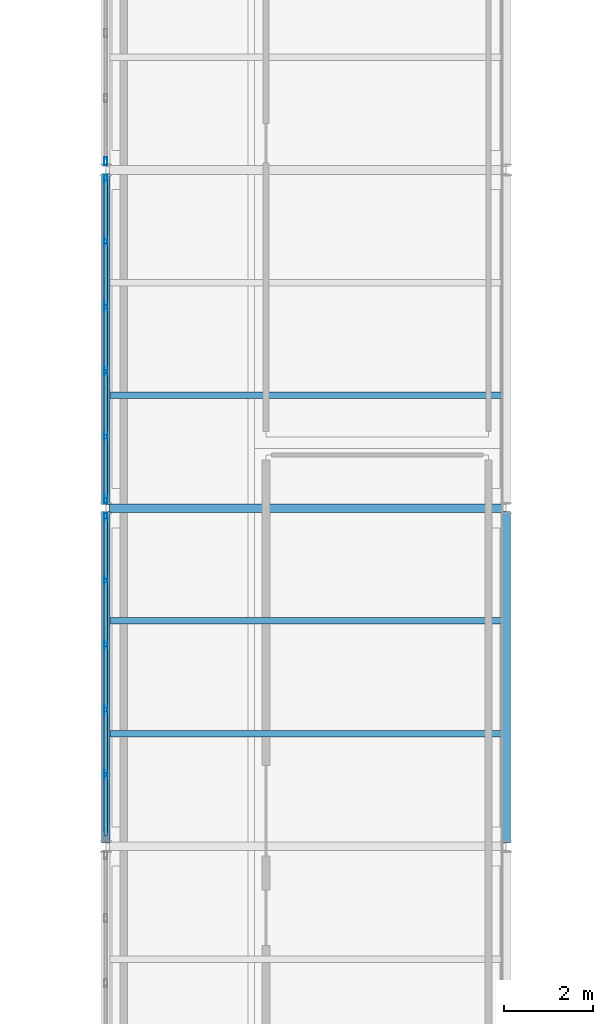
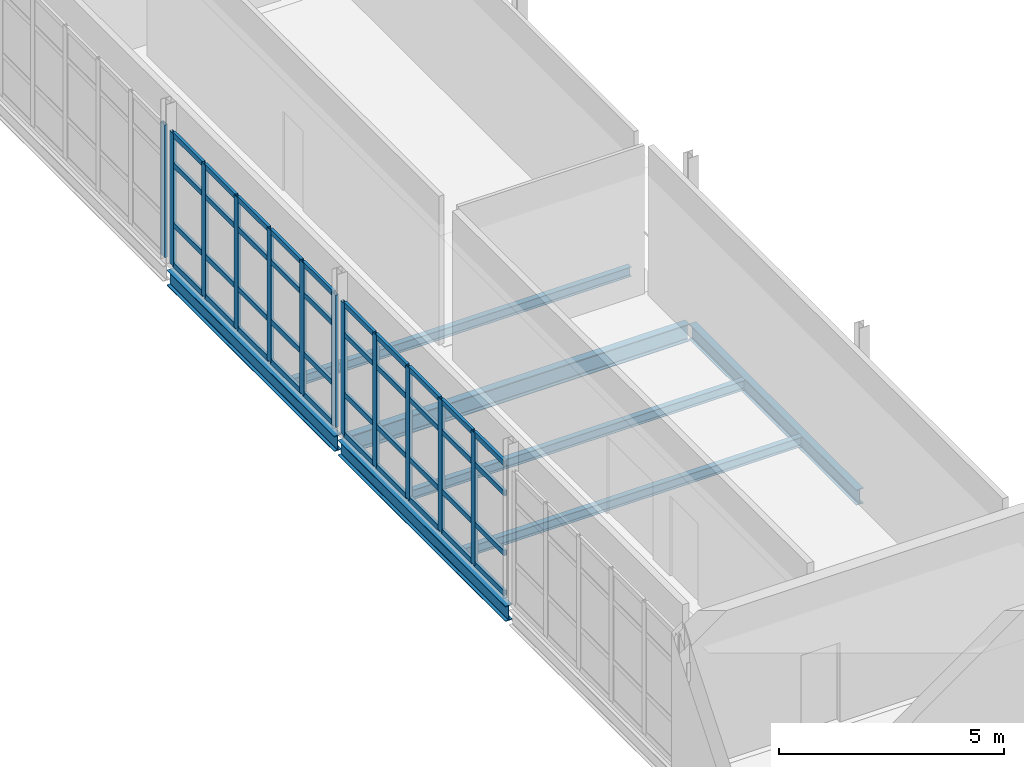
# One storey, part 107 of 166: 52 members, 7 beams, 3 elements without a shape of their own.
"""IFC4 building model written with IfcOpenShell, lengths in metres."""

from ifc_helpers import new_model, si_unit, direction, frame, origin, origin_2d, place, context, subcontext, project, spatial, hollow_rectangle, i_section, extrude, material, material_profile, profile_set, type_object, element, aggregate, save


model = new_model("IFC4")

# Units and contexts
model_context = context("Model", 3, precision=1e-05, world=origin(), true_north=direction((0.0, 1.0)))
body_context = subcontext(model_context, "Body", "Model", "MODEL_VIEW")
ifc_project = project(units=[si_unit("LENGTHUNIT", "METRE"), si_unit("AREAUNIT", "SQUARE_METRE"), si_unit("VOLUMEUNIT", "CUBIC_METRE"), si_unit("PLANEANGLEUNIT", "RADIAN"), si_unit("MASSUNIT", "GRAM", prefix="KILO")], contexts=[model_context])

# Site, building, storey
site_placement = place(None, origin())
site = spatial("IfcSite", under=ifc_project, at=site_placement, CompositionType="ELEMENT")
building_placement = place(site_placement, origin())
building = spatial("IfcBuilding", under=site, at=building_placement, Name="Caisbarro Railhouse Central Library", CompositionType="ELEMENT")
storey_placement = place(building_placement, frame((0.0, 0.0, 9.360107421875)))
storey = spatial("IfcBuildingStorey", under=building, at=storey_placement, Name="L02", CompositionType="ELEMENT", Elevation=9.360107421875)

# Beams
ifc_material_1 = material(Name="Steel ASTM A572 Grade 50", Category="steel")
ifc_material_profile_1 = material_profile(ifc_material_1, i_section(OverallWidth=0.194091796875, OverallDepth=0.468994140625, WebThickness=0.0126953125, FlangeThickness=0.0205078125, FilletRadius=0.01806640625, at=origin_2d()), Name="W460X106.0")
ifc_profile_set_1 = profile_set([ifc_material_profile_1], Name="Steel ASTM A572 Grade 50")
beam_type_1 = type_object("IfcBeamType", Name="BM-G07", PredefinedType="BEAM", material=ifc_profile_set_1)
beam_1_placement = place(storey_placement, frame((144.080078125, 22.800048828125, -0.4345703125), z_axis=(1.0, 0.0, 0.0), x_axis=(0.0, 1.0, 0.0)))
element("IfcBeam", 1, at=beam_1_placement, inside=storey, type_object=beam_type_1, Name="G07 beam L02 #1631", PredefinedType="BEAM", context=body_context, shape_type="SweptSolid", body=[
    extrude(i_section(OverallWidth=0.194091796875, OverallDepth=0.468994140625, WebThickness=0.0126953125, FlangeThickness=0.0205078125, FilletRadius=0.01806640625, at=origin_2d()), origin(), (0.0, 0.0, 1.0), 8.83984375),
])
ifc_material_profile_2 = material_profile(ifc_material_1, i_section(OverallWidth=0.180908203125, OverallDepth=0.4169921875, WebThickness=0.010986328125, FlangeThickness=0.018310546875, FilletRadius=0.01611328125, at=origin_2d()), Name="W410X85.0")
ifc_profile_set_2 = profile_set([ifc_material_profile_2], Name="Steel ASTM A572 Grade 50")
beam_type_2 = type_object("IfcBeamType", Name="BM-G09", PredefinedType="BEAM", material=ifc_profile_set_2)
beam_2_placement = place(storey_placement, frame((144.0, 15.280029296875, -0.40869140625), z_axis=(0.0, 1.0, 0.0), x_axis=(-1.0, 0.0, 0.0)))
element("IfcBeam", 2, at=beam_2_placement, inside=storey, type_object=beam_type_2, Name="G09 beam L02 #1636", PredefinedType="BEAM", context=body_context, shape_type="SweptSolid", body=[
    extrude(i_section(OverallWidth=0.180908203125, OverallDepth=0.4169921875, WebThickness=0.010986328125, FlangeThickness=0.018310546875, FilletRadius=0.01611328125, at=origin_2d()), origin(), (0.0, 0.0, 1.0), 7.43994140625),
])
beam_3_placement = place(storey_placement, frame((144.0, 22.8798828125, -0.40869140625), z_axis=(0.0, 1.0, 0.0), x_axis=(-1.0, 0.0, 0.0)))
element("IfcBeam", 3, at=beam_3_placement, inside=storey, type_object=beam_type_2, Name="G09 beam L02 #1637", PredefinedType="BEAM", context=body_context, shape_type="SweptSolid", body=[
    extrude(i_section(OverallWidth=0.180908203125, OverallDepth=0.4169921875, WebThickness=0.010986328125, FlangeThickness=0.018310546875, FilletRadius=0.01611328125, at=origin_2d()), origin(), (0.0, 0.0, 1.0), 7.440185546875),
])
beam_4_placement = place(storey_placement, frame((153.0, 15.280029296875, -0.40869140625), z_axis=(0.0, 1.0, 0.0), x_axis=(-1.0, 0.0, 0.0)))
element("IfcBeam", 4, at=beam_4_placement, inside=storey, type_object=beam_type_2, Name="G09 beam L02 #1641", PredefinedType="BEAM", context=body_context, shape_type="SweptSolid", body=[
    extrude(i_section(OverallWidth=0.180908203125, OverallDepth=0.4169921875, WebThickness=0.010986328125, FlangeThickness=0.018310546875, FilletRadius=0.01611328125, at=origin_2d()), origin(), (0.0, 0.0, 1.0), 7.43994140625),
])
ifc_material_profile_3 = material_profile(ifc_material_1, i_section(OverallWidth=0.14599609375, OverallDepth=0.258056640625, WebThickness=0.006103515625, FlangeThickness=0.009033203125, FilletRadius=0.010009765625, at=origin_2d()), Name="W250X32.7")
ifc_profile_set_3 = profile_set([ifc_material_profile_3], Name="Steel ASTM A572 Grade 50")
beam_type_3 = type_object("IfcBeamType", Name="BM-J05", PredefinedType="JOIST", material=ifc_profile_set_3)
for number, where, z_axis, x_axis, name in (
    (5, (144.090576171875, 17.7333984375, -0.3291015625), (1.0, 0.0, 0.0), (0.0, 1.0, 0.0), "J05 beam L02 #1646"),
    (6, (144.090576171875, 20.2666015625, -0.3291015625), (1.0, 0.0, 0.0), (0.0, 1.0, 0.0), "J05 beam L02 #1647"),
    (7, (144.090576171875, 25.333251953125, -0.3291015625), (1.0, 0.0, 0.0), (0.0, 1.0, 0.0), "J05 beam L02 #1648"),
):
    element("IfcBeam", number, at=place(storey_placement, frame(where, z_axis=z_axis, x_axis=x_axis)), inside=storey, type_object=beam_type_3, Name=name, PredefinedType="JOIST", context=body_context, shape_type="SweptSolid", body=[
        extrude(i_section(OverallWidth=0.14599609375, OverallDepth=0.258056640625, WebThickness=0.006103515625, FlangeThickness=0.009033203125, FilletRadius=0.010009765625, at=origin_2d()), origin(), (0.0, 0.0, 1.0), 8.81884765625),
    ])

# Curtain wall, members
ifc_material_2 = material(Name="Anodised architectural aluminium", Category="aluminium")
curtain_wall_type = type_object("IfcCurtainWallType", Name="CW-CW02", PredefinedType="NOTDEFINED", material=ifc_material_2)
curtain_wall_1_placement = place(storey_placement, origin())
curtain_wall_1 = element("IfcCurtainWall", 8, at=curtain_wall_1_placement, inside=storey, type_object=curtain_wall_type, Name="CW02 curtain wall L02 #93", PredefinedType="NOTDEFINED")
ifc_material_profile_4 = material_profile(ifc_material_2, hollow_rectangle(XDim=0.074951171875, YDim=0.179931640625, WallThickness=0.00439453125, at=origin_2d()), Name="ALU-MUL-75X180")
ifc_profile_set_4 = profile_set([ifc_material_profile_4], Name="Anodised architectural aluminium")
member_type_1 = type_object("IfcMemberType", Name="CWM-M01", PredefinedType="MULLION", material=ifc_profile_set_4)
member_1_placement = place(storey_placement, frame((144.0, 16.81591796875, 0.0), z_axis=(0.0, 0.0, 1.0), x_axis=(-1.0, 0.0, 0.0)))
member_1 = element("IfcMember", 9, at=member_1_placement, type_object=member_type_1, Name="CW02 mullion 2", PredefinedType="MULLION", context=body_context, shape_type="SweptSolid", body=[
    extrude(hollow_rectangle(XDim=0.074951171875, YDim=0.179931640625, WallThickness=0.00439453125, at=origin_2d()), origin(), (0.0, 0.0, 1.0), 3.58984375),
])
member_2_placement = place(storey_placement, frame((144.0, 18.27197265625, 0.0), z_axis=(0.0, 0.0, 1.0), x_axis=(-1.0, 0.0, 0.0)))
member_2 = element("IfcMember", 10, at=member_2_placement, type_object=member_type_1, Name="CW02 mullion 3", PredefinedType="MULLION", context=body_context, shape_type="SweptSolid", body=[
    extrude(hollow_rectangle(XDim=0.074951171875, YDim=0.179931640625, WallThickness=0.00439453125, at=origin_2d()), origin(), (0.0, 0.0, 1.0), 3.58984375),
])
member_3_placement = place(storey_placement, frame((144.0, 19.72802734375, 0.0), z_axis=(0.0, 0.0, 1.0), x_axis=(-1.0, 0.0, 0.0)))
member_3 = element("IfcMember", 11, at=member_3_placement, type_object=member_type_1, Name="CW02 mullion 4", PredefinedType="MULLION", context=body_context, shape_type="SweptSolid", body=[
    extrude(hollow_rectangle(XDim=0.074951171875, YDim=0.179931640625, WallThickness=0.00439453125, at=origin_2d()), origin(), (0.0, 0.0, 1.0), 3.58984375),
])
member_4_placement = place(storey_placement, frame((144.0, 21.18408203125, 0.0), z_axis=(0.0, 0.0, 1.0), x_axis=(-1.0, 0.0, 0.0)))
member_4 = element("IfcMember", 12, at=member_4_placement, type_object=member_type_1, Name="CW02 mullion 5", PredefinedType="MULLION", context=body_context, shape_type="SweptSolid", body=[
    extrude(hollow_rectangle(XDim=0.074951171875, YDim=0.179931640625, WallThickness=0.00439453125, at=origin_2d()), origin(), (0.0, 0.0, 1.0), 3.58984375),
])
member_5_placement = place(storey_placement, frame((144.0, 22.6025390625, 0.0), z_axis=(0.0, 0.0, 1.0), x_axis=(-1.0, 0.0, 0.0)))
member_5 = element("IfcMember", 13, at=member_5_placement, type_object=member_type_1, Name="CW02 mullion 6", PredefinedType="MULLION", context=body_context, shape_type="SweptSolid", body=[
    extrude(hollow_rectangle(XDim=0.074951171875, YDim=0.179931640625, WallThickness=0.00439453125, at=origin_2d()), origin(), (0.0, 0.0, 1.0), 3.58984375),
])

curtain_wall_2_placement = place(storey_placement, origin())
curtain_wall_2 = element("IfcCurtainWall", 14, at=curtain_wall_2_placement, inside=storey, type_object=curtain_wall_type, Name="CW02 curtain wall L02 #94", PredefinedType="NOTDEFINED")
member_6_placement = place(storey_placement, frame((144.0, 22.99755859375, 0.0), z_axis=(0.0, 0.0, 1.0), x_axis=(-1.0, 0.0, 0.0)))
member_6 = element("IfcMember", 15, at=member_6_placement, type_object=member_type_1, Name="CW02 mullion 1", PredefinedType="MULLION", context=body_context, shape_type="SweptSolid", body=[
    extrude(hollow_rectangle(XDim=0.074951171875, YDim=0.179931640625, WallThickness=0.00439453125, at=origin_2d()), origin(), (0.0, 0.0, 1.0), 3.58984375),
])
member_7_placement = place(storey_placement, frame((144.0, 24.416015625, 0.0), z_axis=(0.0, 0.0, 1.0), x_axis=(-1.0, 0.0, 0.0)))
member_7 = element("IfcMember", 16, at=member_7_placement, type_object=member_type_1, Name="CW02 mullion 2", PredefinedType="MULLION", context=body_context, shape_type="SweptSolid", body=[
    extrude(hollow_rectangle(XDim=0.074951171875, YDim=0.179931640625, WallThickness=0.00439453125, at=origin_2d()), origin(), (0.0, 0.0, 1.0), 3.58984375),
])
member_8_placement = place(storey_placement, frame((144.0, 25.8720703125, 0.0), z_axis=(0.0, 0.0, 1.0), x_axis=(-1.0, 0.0, 0.0)))
member_8 = element("IfcMember", 17, at=member_8_placement, type_object=member_type_1, Name="CW02 mullion 3", PredefinedType="MULLION", context=body_context, shape_type="SweptSolid", body=[
    extrude(hollow_rectangle(XDim=0.074951171875, YDim=0.179931640625, WallThickness=0.00439453125, at=origin_2d()), origin(), (0.0, 0.0, 1.0), 3.58984375),
])
member_9_placement = place(storey_placement, frame((144.0, 27.327880859375, 0.0), z_axis=(0.0, 0.0, 1.0), x_axis=(-1.0, 0.0, 0.0)))
member_9 = element("IfcMember", 18, at=member_9_placement, type_object=member_type_1, Name="CW02 mullion 4", PredefinedType="MULLION", context=body_context, shape_type="SweptSolid", body=[
    extrude(hollow_rectangle(XDim=0.074951171875, YDim=0.179931640625, WallThickness=0.00439453125, at=origin_2d()), origin(), (0.0, 0.0, 1.0), 3.58984375),
])
member_10_placement = place(storey_placement, frame((144.0, 28.783935546875, 0.0), z_axis=(0.0, 0.0, 1.0), x_axis=(-1.0, 0.0, 0.0)))
member_10 = element("IfcMember", 19, at=member_10_placement, type_object=member_type_1, Name="CW02 mullion 5", PredefinedType="MULLION", context=body_context, shape_type="SweptSolid", body=[
    extrude(hollow_rectangle(XDim=0.074951171875, YDim=0.179931640625, WallThickness=0.00439453125, at=origin_2d()), origin(), (0.0, 0.0, 1.0), 3.58984375),
])
member_11_placement = place(storey_placement, frame((144.0, 30.202392578125, 0.0), z_axis=(0.0, 0.0, 1.0), x_axis=(-1.0, 0.0, 0.0)))
member_11 = element("IfcMember", 20, at=member_11_placement, type_object=member_type_1, Name="CW02 mullion 6", PredefinedType="MULLION", context=body_context, shape_type="SweptSolid", body=[
    extrude(hollow_rectangle(XDim=0.074951171875, YDim=0.179931640625, WallThickness=0.00439453125, at=origin_2d()), origin(), (0.0, 0.0, 1.0), 3.58984375),
])

# Curtain wall, member
curtain_wall_3_placement = place(storey_placement, origin())
curtain_wall_3 = element("IfcCurtainWall", 21, at=curtain_wall_3_placement, inside=storey, type_object=curtain_wall_type, Name="CW02 curtain wall L02 #95", PredefinedType="NOTDEFINED")
member_12_placement = place(storey_placement, frame((144.0, 30.597412109375, 0.0), z_axis=(0.0, 0.0, 1.0), x_axis=(-1.0, 0.0, 0.0)))
member_12 = element("IfcMember", 22, at=member_12_placement, type_object=member_type_1, Name="CW02 mullion 1", PredefinedType="MULLION", context=body_context, shape_type="SweptSolid", body=[
    extrude(hollow_rectangle(XDim=0.074951171875, YDim=0.179931640625, WallThickness=0.00439453125, at=origin_2d()), origin(), (0.0, 0.0, 1.0), 3.58984375),
])
aggregate(curtain_wall_3, [member_12])

# Member
ifc_material_profile_5 = material_profile(ifc_material_2, hollow_rectangle(XDim=0.074951171875, YDim=0.139892578125, WallThickness=0.00390625, at=origin_2d()), Name="ALU-TRN-75X140")
ifc_profile_set_5 = profile_set([ifc_material_profile_5], Name="Anodised architectural aluminium")
member_type_2 = type_object("IfcMemberType", Name="CWT-T01", PredefinedType="USERDEFINED", material=ifc_profile_set_5)
member_13_placement = place(storey_placement, frame((144.0, 15.43505859375, 0.037353515625), z_axis=(0.0, 1.0, 0.0), x_axis=(-1.0, 0.0, 0.0)))
member_13 = element("IfcMember", 23, at=member_13_placement, type_object=member_type_2, Name="CW02 transom 1.1", ObjectType="TRANSOM", PredefinedType="USERDEFINED", context=body_context, shape_type="SweptSolid", body=[
    extrude(hollow_rectangle(XDim=0.074951171875, YDim=0.139892578125, WallThickness=0.00390625, at=origin_2d()), origin(), (0.0, 0.0, 1.0), 1.343505859375),
])

member_14_placement = place(storey_placement, frame((144.0, 15.43505859375, 1.119873046875), z_axis=(0.0, 1.0, 0.0), x_axis=(-1.0, 0.0, 0.0)))
member_14 = element("IfcMember", 24, at=member_14_placement, type_object=member_type_2, Name="CW02 transom 1.2", ObjectType="TRANSOM", PredefinedType="USERDEFINED", context=body_context, shape_type="SweptSolid", body=[
    extrude(hollow_rectangle(XDim=0.074951171875, YDim=0.139892578125, WallThickness=0.00390625, at=origin_2d()), origin(), (0.0, 0.0, 1.0), 1.343505859375),
])

member_15_placement = place(storey_placement, frame((144.0, 15.43505859375, 2.739990234375), z_axis=(0.0, 1.0, 0.0), x_axis=(-1.0, 0.0, 0.0)))
member_15 = element("IfcMember", 25, at=member_15_placement, type_object=member_type_2, Name="CW02 transom 1.3", ObjectType="TRANSOM", PredefinedType="USERDEFINED", context=body_context, shape_type="SweptSolid", body=[
    extrude(hollow_rectangle(XDim=0.074951171875, YDim=0.139892578125, WallThickness=0.00390625, at=origin_2d()), origin(), (0.0, 0.0, 1.0), 1.343505859375),
])

member_16_placement = place(storey_placement, frame((144.0, 15.43505859375, 3.552490234375), z_axis=(0.0, 1.0, 0.0), x_axis=(-1.0, 0.0, 0.0)))
member_16 = element("IfcMember", 26, at=member_16_placement, type_object=member_type_2, Name="CW02 transom 1.4", ObjectType="TRANSOM", PredefinedType="USERDEFINED", context=body_context, shape_type="SweptSolid", body=[
    extrude(hollow_rectangle(XDim=0.074951171875, YDim=0.139892578125, WallThickness=0.00390625, at=origin_2d()), origin(), (0.0, 0.0, 1.0), 1.343505859375),
])

member_17_placement = place(storey_placement, frame((144.0, 16.853515625, 0.037353515625), z_axis=(0.0, 1.0, 0.0), x_axis=(-1.0, 0.0, 0.0)))
member_17 = element("IfcMember", 27, at=member_17_placement, type_object=member_type_2, Name="CW02 transom 2.1", ObjectType="TRANSOM", PredefinedType="USERDEFINED", context=body_context, shape_type="SweptSolid", body=[
    extrude(hollow_rectangle(XDim=0.074951171875, YDim=0.139892578125, WallThickness=0.00390625, at=origin_2d()), origin(), (0.0, 0.0, 1.0), 1.381103515625),
])

member_18_placement = place(storey_placement, frame((144.0, 16.853515625, 1.119873046875), z_axis=(0.0, 1.0, 0.0), x_axis=(-1.0, 0.0, 0.0)))
member_18 = element("IfcMember", 28, at=member_18_placement, type_object=member_type_2, Name="CW02 transom 2.2", ObjectType="TRANSOM", PredefinedType="USERDEFINED", context=body_context, shape_type="SweptSolid", body=[
    extrude(hollow_rectangle(XDim=0.074951171875, YDim=0.139892578125, WallThickness=0.00390625, at=origin_2d()), origin(), (0.0, 0.0, 1.0), 1.381103515625),
])

member_19_placement = place(storey_placement, frame((144.0, 16.853515625, 2.739990234375), z_axis=(0.0, 1.0, 0.0), x_axis=(-1.0, 0.0, 0.0)))
member_19 = element("IfcMember", 29, at=member_19_placement, type_object=member_type_2, Name="CW02 transom 2.3", ObjectType="TRANSOM", PredefinedType="USERDEFINED", context=body_context, shape_type="SweptSolid", body=[
    extrude(hollow_rectangle(XDim=0.074951171875, YDim=0.139892578125, WallThickness=0.00390625, at=origin_2d()), origin(), (0.0, 0.0, 1.0), 1.381103515625),
])

member_20_placement = place(storey_placement, frame((144.0, 16.853515625, 3.552490234375), z_axis=(0.0, 1.0, 0.0), x_axis=(-1.0, 0.0, 0.0)))
member_20 = element("IfcMember", 30, at=member_20_placement, type_object=member_type_2, Name="CW02 transom 2.4", ObjectType="TRANSOM", PredefinedType="USERDEFINED", context=body_context, shape_type="SweptSolid", body=[
    extrude(hollow_rectangle(XDim=0.074951171875, YDim=0.139892578125, WallThickness=0.00390625, at=origin_2d()), origin(), (0.0, 0.0, 1.0), 1.381103515625),
])

member_21_placement = place(storey_placement, frame((144.0, 18.3095703125, 0.037353515625), z_axis=(0.0, 1.0, 0.0), x_axis=(-1.0, 0.0, 0.0)))
member_21 = element("IfcMember", 31, at=member_21_placement, type_object=member_type_2, Name="CW02 transom 3.1", ObjectType="TRANSOM", PredefinedType="USERDEFINED", context=body_context, shape_type="SweptSolid", body=[
    extrude(hollow_rectangle(XDim=0.074951171875, YDim=0.139892578125, WallThickness=0.00390625, at=origin_2d()), origin(), (0.0, 0.0, 1.0), 1.380859375),
])

member_22_placement = place(storey_placement, frame((144.0, 18.3095703125, 1.119873046875), z_axis=(0.0, 1.0, 0.0), x_axis=(-1.0, 0.0, 0.0)))
member_22 = element("IfcMember", 32, at=member_22_placement, type_object=member_type_2, Name="CW02 transom 3.2", ObjectType="TRANSOM", PredefinedType="USERDEFINED", context=body_context, shape_type="SweptSolid", body=[
    extrude(hollow_rectangle(XDim=0.074951171875, YDim=0.139892578125, WallThickness=0.00390625, at=origin_2d()), origin(), (0.0, 0.0, 1.0), 1.380859375),
])

member_23_placement = place(storey_placement, frame((144.0, 18.3095703125, 2.739990234375), z_axis=(0.0, 1.0, 0.0), x_axis=(-1.0, 0.0, 0.0)))
member_23 = element("IfcMember", 33, at=member_23_placement, type_object=member_type_2, Name="CW02 transom 3.3", ObjectType="TRANSOM", PredefinedType="USERDEFINED", context=body_context, shape_type="SweptSolid", body=[
    extrude(hollow_rectangle(XDim=0.074951171875, YDim=0.139892578125, WallThickness=0.00390625, at=origin_2d()), origin(), (0.0, 0.0, 1.0), 1.380859375),
])

member_24_placement = place(storey_placement, frame((144.0, 18.3095703125, 3.552490234375), z_axis=(0.0, 1.0, 0.0), x_axis=(-1.0, 0.0, 0.0)))
member_24 = element("IfcMember", 34, at=member_24_placement, type_object=member_type_2, Name="CW02 transom 3.4", ObjectType="TRANSOM", PredefinedType="USERDEFINED", context=body_context, shape_type="SweptSolid", body=[
    extrude(hollow_rectangle(XDim=0.074951171875, YDim=0.139892578125, WallThickness=0.00390625, at=origin_2d()), origin(), (0.0, 0.0, 1.0), 1.380859375),
])

member_25_placement = place(storey_placement, frame((144.0, 19.765380859375, 0.037353515625), z_axis=(0.0, 1.0, 0.0), x_axis=(-1.0, 0.0, 0.0)))
member_25 = element("IfcMember", 35, at=member_25_placement, type_object=member_type_2, Name="CW02 transom 4.1", ObjectType="TRANSOM", PredefinedType="USERDEFINED", context=body_context, shape_type="SweptSolid", body=[
    extrude(hollow_rectangle(XDim=0.074951171875, YDim=0.139892578125, WallThickness=0.00390625, at=origin_2d()), origin(), (0.0, 0.0, 1.0), 1.381103515625),
])

member_26_placement = place(storey_placement, frame((144.0, 19.765380859375, 1.119873046875), z_axis=(0.0, 1.0, 0.0), x_axis=(-1.0, 0.0, 0.0)))
member_26 = element("IfcMember", 36, at=member_26_placement, type_object=member_type_2, Name="CW02 transom 4.2", ObjectType="TRANSOM", PredefinedType="USERDEFINED", context=body_context, shape_type="SweptSolid", body=[
    extrude(hollow_rectangle(XDim=0.074951171875, YDim=0.139892578125, WallThickness=0.00390625, at=origin_2d()), origin(), (0.0, 0.0, 1.0), 1.381103515625),
])

member_27_placement = place(storey_placement, frame((144.0, 19.765380859375, 2.739990234375), z_axis=(0.0, 1.0, 0.0), x_axis=(-1.0, 0.0, 0.0)))
member_27 = element("IfcMember", 37, at=member_27_placement, type_object=member_type_2, Name="CW02 transom 4.3", ObjectType="TRANSOM", PredefinedType="USERDEFINED", context=body_context, shape_type="SweptSolid", body=[
    extrude(hollow_rectangle(XDim=0.074951171875, YDim=0.139892578125, WallThickness=0.00390625, at=origin_2d()), origin(), (0.0, 0.0, 1.0), 1.381103515625),
])

member_28_placement = place(storey_placement, frame((144.0, 19.765380859375, 3.552490234375), z_axis=(0.0, 1.0, 0.0), x_axis=(-1.0, 0.0, 0.0)))
member_28 = element("IfcMember", 38, at=member_28_placement, type_object=member_type_2, Name="CW02 transom 4.4", ObjectType="TRANSOM", PredefinedType="USERDEFINED", context=body_context, shape_type="SweptSolid", body=[
    extrude(hollow_rectangle(XDim=0.074951171875, YDim=0.139892578125, WallThickness=0.00390625, at=origin_2d()), origin(), (0.0, 0.0, 1.0), 1.381103515625),
])

member_29_placement = place(storey_placement, frame((144.0, 21.221435546875, 0.037353515625), z_axis=(0.0, 1.0, 0.0), x_axis=(-1.0, 0.0, 0.0)))
member_29 = element("IfcMember", 39, at=member_29_placement, type_object=member_type_2, Name="CW02 transom 5.1", ObjectType="TRANSOM", PredefinedType="USERDEFINED", context=body_context, shape_type="SweptSolid", body=[
    extrude(hollow_rectangle(XDim=0.074951171875, YDim=0.139892578125, WallThickness=0.00390625, at=origin_2d()), origin(), (0.0, 0.0, 1.0), 1.343505859375),
])

member_30_placement = place(storey_placement, frame((144.0, 21.221435546875, 1.119873046875), z_axis=(0.0, 1.0, 0.0), x_axis=(-1.0, 0.0, 0.0)))
member_30 = element("IfcMember", 40, at=member_30_placement, type_object=member_type_2, Name="CW02 transom 5.2", ObjectType="TRANSOM", PredefinedType="USERDEFINED", context=body_context, shape_type="SweptSolid", body=[
    extrude(hollow_rectangle(XDim=0.074951171875, YDim=0.139892578125, WallThickness=0.00390625, at=origin_2d()), origin(), (0.0, 0.0, 1.0), 1.343505859375),
])

member_31_placement = place(storey_placement, frame((144.0, 21.221435546875, 2.739990234375), z_axis=(0.0, 1.0, 0.0), x_axis=(-1.0, 0.0, 0.0)))
member_31 = element("IfcMember", 41, at=member_31_placement, type_object=member_type_2, Name="CW02 transom 5.3", ObjectType="TRANSOM", PredefinedType="USERDEFINED", context=body_context, shape_type="SweptSolid", body=[
    extrude(hollow_rectangle(XDim=0.074951171875, YDim=0.139892578125, WallThickness=0.00390625, at=origin_2d()), origin(), (0.0, 0.0, 1.0), 1.343505859375),
])

member_32_placement = place(storey_placement, frame((144.0, 21.221435546875, 3.552490234375), z_axis=(0.0, 1.0, 0.0), x_axis=(-1.0, 0.0, 0.0)))
member_32 = element("IfcMember", 42, at=member_32_placement, type_object=member_type_2, Name="CW02 transom 5.4", ObjectType="TRANSOM", PredefinedType="USERDEFINED", context=body_context, shape_type="SweptSolid", body=[
    extrude(hollow_rectangle(XDim=0.074951171875, YDim=0.139892578125, WallThickness=0.00390625, at=origin_2d()), origin(), (0.0, 0.0, 1.0), 1.343505859375),
])

aggregate(curtain_wall_1, [member_1, member_2, member_3, member_4, member_5, member_13, member_14, member_15, member_16, member_17, member_18, member_19, member_20, member_21, member_22, member_23, member_24, member_25, member_26, member_27, member_28, member_29, member_30, member_31, member_32])

member_33_placement = place(storey_placement, frame((144.0, 23.034912109375, 0.037353515625), z_axis=(0.0, 1.0, 0.0), x_axis=(-1.0, 0.0, 0.0)))
member_33 = element("IfcMember", 43, at=member_33_placement, type_object=member_type_2, Name="CW02 transom 1.1", ObjectType="TRANSOM", PredefinedType="USERDEFINED", context=body_context, shape_type="SweptSolid", body=[
    extrude(hollow_rectangle(XDim=0.074951171875, YDim=0.139892578125, WallThickness=0.00390625, at=origin_2d()), origin(), (0.0, 0.0, 1.0), 1.343505859375),
])

member_34_placement = place(storey_placement, frame((144.0, 23.034912109375, 1.119873046875), z_axis=(0.0, 1.0, 0.0), x_axis=(-1.0, 0.0, 0.0)))
member_34 = element("IfcMember", 44, at=member_34_placement, type_object=member_type_2, Name="CW02 transom 1.2", ObjectType="TRANSOM", PredefinedType="USERDEFINED", context=body_context, shape_type="SweptSolid", body=[
    extrude(hollow_rectangle(XDim=0.074951171875, YDim=0.139892578125, WallThickness=0.00390625, at=origin_2d()), origin(), (0.0, 0.0, 1.0), 1.343505859375),
])

member_35_placement = place(storey_placement, frame((144.0, 23.034912109375, 2.739990234375), z_axis=(0.0, 1.0, 0.0), x_axis=(-1.0, 0.0, 0.0)))
member_35 = element("IfcMember", 45, at=member_35_placement, type_object=member_type_2, Name="CW02 transom 1.3", ObjectType="TRANSOM", PredefinedType="USERDEFINED", context=body_context, shape_type="SweptSolid", body=[
    extrude(hollow_rectangle(XDim=0.074951171875, YDim=0.139892578125, WallThickness=0.00390625, at=origin_2d()), origin(), (0.0, 0.0, 1.0), 1.343505859375),
])

member_36_placement = place(storey_placement, frame((144.0, 23.034912109375, 3.552490234375), z_axis=(0.0, 1.0, 0.0), x_axis=(-1.0, 0.0, 0.0)))
member_36 = element("IfcMember", 46, at=member_36_placement, type_object=member_type_2, Name="CW02 transom 1.4", ObjectType="TRANSOM", PredefinedType="USERDEFINED", context=body_context, shape_type="SweptSolid", body=[
    extrude(hollow_rectangle(XDim=0.074951171875, YDim=0.139892578125, WallThickness=0.00390625, at=origin_2d()), origin(), (0.0, 0.0, 1.0), 1.343505859375),
])

member_37_placement = place(storey_placement, frame((144.0, 24.45361328125, 0.037353515625), z_axis=(0.0, 1.0, 0.0), x_axis=(-1.0, 0.0, 0.0)))
member_37 = element("IfcMember", 47, at=member_37_placement, type_object=member_type_2, Name="CW02 transom 2.1", ObjectType="TRANSOM", PredefinedType="USERDEFINED", context=body_context, shape_type="SweptSolid", body=[
    extrude(hollow_rectangle(XDim=0.074951171875, YDim=0.139892578125, WallThickness=0.00390625, at=origin_2d()), origin(), (0.0, 0.0, 1.0), 1.380859375),
])

member_38_placement = place(storey_placement, frame((144.0, 24.45361328125, 1.119873046875), z_axis=(0.0, 1.0, 0.0), x_axis=(-1.0, 0.0, 0.0)))
member_38 = element("IfcMember", 48, at=member_38_placement, type_object=member_type_2, Name="CW02 transom 2.2", ObjectType="TRANSOM", PredefinedType="USERDEFINED", context=body_context, shape_type="SweptSolid", body=[
    extrude(hollow_rectangle(XDim=0.074951171875, YDim=0.139892578125, WallThickness=0.00390625, at=origin_2d()), origin(), (0.0, 0.0, 1.0), 1.380859375),
])

member_39_placement = place(storey_placement, frame((144.0, 24.45361328125, 2.739990234375), z_axis=(0.0, 1.0, 0.0), x_axis=(-1.0, 0.0, 0.0)))
member_39 = element("IfcMember", 49, at=member_39_placement, type_object=member_type_2, Name="CW02 transom 2.3", ObjectType="TRANSOM", PredefinedType="USERDEFINED", context=body_context, shape_type="SweptSolid", body=[
    extrude(hollow_rectangle(XDim=0.074951171875, YDim=0.139892578125, WallThickness=0.00390625, at=origin_2d()), origin(), (0.0, 0.0, 1.0), 1.380859375),
])

member_40_placement = place(storey_placement, frame((144.0, 24.45361328125, 3.552490234375), z_axis=(0.0, 1.0, 0.0), x_axis=(-1.0, 0.0, 0.0)))
member_40 = element("IfcMember", 50, at=member_40_placement, type_object=member_type_2, Name="CW02 transom 2.4", ObjectType="TRANSOM", PredefinedType="USERDEFINED", context=body_context, shape_type="SweptSolid", body=[
    extrude(hollow_rectangle(XDim=0.074951171875, YDim=0.139892578125, WallThickness=0.00390625, at=origin_2d()), origin(), (0.0, 0.0, 1.0), 1.380859375),
])

member_41_placement = place(storey_placement, frame((144.0, 25.909423828125, 0.037353515625), z_axis=(0.0, 1.0, 0.0), x_axis=(-1.0, 0.0, 0.0)))
member_41 = element("IfcMember", 51, at=member_41_placement, type_object=member_type_2, Name="CW02 transom 3.1", ObjectType="TRANSOM", PredefinedType="USERDEFINED", context=body_context, shape_type="SweptSolid", body=[
    extrude(hollow_rectangle(XDim=0.074951171875, YDim=0.139892578125, WallThickness=0.00390625, at=origin_2d()), origin(), (0.0, 0.0, 1.0), 1.381103515625),
])

member_42_placement = place(storey_placement, frame((144.0, 25.909423828125, 1.119873046875), z_axis=(0.0, 1.0, 0.0), x_axis=(-1.0, 0.0, 0.0)))
member_42 = element("IfcMember", 52, at=member_42_placement, type_object=member_type_2, Name="CW02 transom 3.2", ObjectType="TRANSOM", PredefinedType="USERDEFINED", context=body_context, shape_type="SweptSolid", body=[
    extrude(hollow_rectangle(XDim=0.074951171875, YDim=0.139892578125, WallThickness=0.00390625, at=origin_2d()), origin(), (0.0, 0.0, 1.0), 1.381103515625),
])

member_43_placement = place(storey_placement, frame((144.0, 25.909423828125, 2.739990234375), z_axis=(0.0, 1.0, 0.0), x_axis=(-1.0, 0.0, 0.0)))
member_43 = element("IfcMember", 53, at=member_43_placement, type_object=member_type_2, Name="CW02 transom 3.3", ObjectType="TRANSOM", PredefinedType="USERDEFINED", context=body_context, shape_type="SweptSolid", body=[
    extrude(hollow_rectangle(XDim=0.074951171875, YDim=0.139892578125, WallThickness=0.00390625, at=origin_2d()), origin(), (0.0, 0.0, 1.0), 1.381103515625),
])

member_44_placement = place(storey_placement, frame((144.0, 25.909423828125, 3.552490234375), z_axis=(0.0, 1.0, 0.0), x_axis=(-1.0, 0.0, 0.0)))
member_44 = element("IfcMember", 54, at=member_44_placement, type_object=member_type_2, Name="CW02 transom 3.4", ObjectType="TRANSOM", PredefinedType="USERDEFINED", context=body_context, shape_type="SweptSolid", body=[
    extrude(hollow_rectangle(XDim=0.074951171875, YDim=0.139892578125, WallThickness=0.00390625, at=origin_2d()), origin(), (0.0, 0.0, 1.0), 1.381103515625),
])

member_45_placement = place(storey_placement, frame((144.0, 27.365478515625, 0.037353515625), z_axis=(0.0, 1.0, 0.0), x_axis=(-1.0, 0.0, 0.0)))
member_45 = element("IfcMember", 55, at=member_45_placement, type_object=member_type_2, Name="CW02 transom 4.1", ObjectType="TRANSOM", PredefinedType="USERDEFINED", context=body_context, shape_type="SweptSolid", body=[
    extrude(hollow_rectangle(XDim=0.074951171875, YDim=0.139892578125, WallThickness=0.00390625, at=origin_2d()), origin(), (0.0, 0.0, 1.0), 1.381103515625),
])

member_46_placement = place(storey_placement, frame((144.0, 27.365478515625, 1.119873046875), z_axis=(0.0, 1.0, 0.0), x_axis=(-1.0, 0.0, 0.0)))
member_46 = element("IfcMember", 56, at=member_46_placement, type_object=member_type_2, Name="CW02 transom 4.2", ObjectType="TRANSOM", PredefinedType="USERDEFINED", context=body_context, shape_type="SweptSolid", body=[
    extrude(hollow_rectangle(XDim=0.074951171875, YDim=0.139892578125, WallThickness=0.00390625, at=origin_2d()), origin(), (0.0, 0.0, 1.0), 1.381103515625),
])

member_47_placement = place(storey_placement, frame((144.0, 27.365478515625, 2.739990234375), z_axis=(0.0, 1.0, 0.0), x_axis=(-1.0, 0.0, 0.0)))
member_47 = element("IfcMember", 57, at=member_47_placement, type_object=member_type_2, Name="CW02 transom 4.3", ObjectType="TRANSOM", PredefinedType="USERDEFINED", context=body_context, shape_type="SweptSolid", body=[
    extrude(hollow_rectangle(XDim=0.074951171875, YDim=0.139892578125, WallThickness=0.00390625, at=origin_2d()), origin(), (0.0, 0.0, 1.0), 1.381103515625),
])

member_48_placement = place(storey_placement, frame((144.0, 27.365478515625, 3.552490234375), z_axis=(0.0, 1.0, 0.0), x_axis=(-1.0, 0.0, 0.0)))
member_48 = element("IfcMember", 58, at=member_48_placement, type_object=member_type_2, Name="CW02 transom 4.4", ObjectType="TRANSOM", PredefinedType="USERDEFINED", context=body_context, shape_type="SweptSolid", body=[
    extrude(hollow_rectangle(XDim=0.074951171875, YDim=0.139892578125, WallThickness=0.00390625, at=origin_2d()), origin(), (0.0, 0.0, 1.0), 1.381103515625),
])

member_49_placement = place(storey_placement, frame((144.0, 28.821533203125, 0.037353515625), z_axis=(0.0, 1.0, 0.0), x_axis=(-1.0, 0.0, 0.0)))
member_49 = element("IfcMember", 59, at=member_49_placement, type_object=member_type_2, Name="CW02 transom 5.1", ObjectType="TRANSOM", PredefinedType="USERDEFINED", context=body_context, shape_type="SweptSolid", body=[
    extrude(hollow_rectangle(XDim=0.074951171875, YDim=0.139892578125, WallThickness=0.00390625, at=origin_2d()), origin(), (0.0, 0.0, 1.0), 1.343505859375),
])

member_50_placement = place(storey_placement, frame((144.0, 28.821533203125, 1.119873046875), z_axis=(0.0, 1.0, 0.0), x_axis=(-1.0, 0.0, 0.0)))
member_50 = element("IfcMember", 60, at=member_50_placement, type_object=member_type_2, Name="CW02 transom 5.2", ObjectType="TRANSOM", PredefinedType="USERDEFINED", context=body_context, shape_type="SweptSolid", body=[
    extrude(hollow_rectangle(XDim=0.074951171875, YDim=0.139892578125, WallThickness=0.00390625, at=origin_2d()), origin(), (0.0, 0.0, 1.0), 1.343505859375),
])

member_51_placement = place(storey_placement, frame((144.0, 28.821533203125, 2.739990234375), z_axis=(0.0, 1.0, 0.0), x_axis=(-1.0, 0.0, 0.0)))
member_51 = element("IfcMember", 61, at=member_51_placement, type_object=member_type_2, Name="CW02 transom 5.3", ObjectType="TRANSOM", PredefinedType="USERDEFINED", context=body_context, shape_type="SweptSolid", body=[
    extrude(hollow_rectangle(XDim=0.074951171875, YDim=0.139892578125, WallThickness=0.00390625, at=origin_2d()), origin(), (0.0, 0.0, 1.0), 1.343505859375),
])

member_52_placement = place(storey_placement, frame((144.0, 28.821533203125, 3.552490234375), z_axis=(0.0, 1.0, 0.0), x_axis=(-1.0, 0.0, 0.0)))
member_52 = element("IfcMember", 62, at=member_52_placement, type_object=member_type_2, Name="CW02 transom 5.4", ObjectType="TRANSOM", PredefinedType="USERDEFINED", context=body_context, shape_type="SweptSolid", body=[
    extrude(hollow_rectangle(XDim=0.074951171875, YDim=0.139892578125, WallThickness=0.00390625, at=origin_2d()), origin(), (0.0, 0.0, 1.0), 1.343505859375),
])

aggregate(curtain_wall_2, [member_6, member_7, member_8, member_9, member_10, member_11, member_33, member_34, member_35, member_36, member_37, member_38, member_39, member_40, member_41, member_42, member_43, member_44, member_45, member_46, member_47, member_48, member_49, member_50, member_51, member_52])

save(model, "model.ifc")
